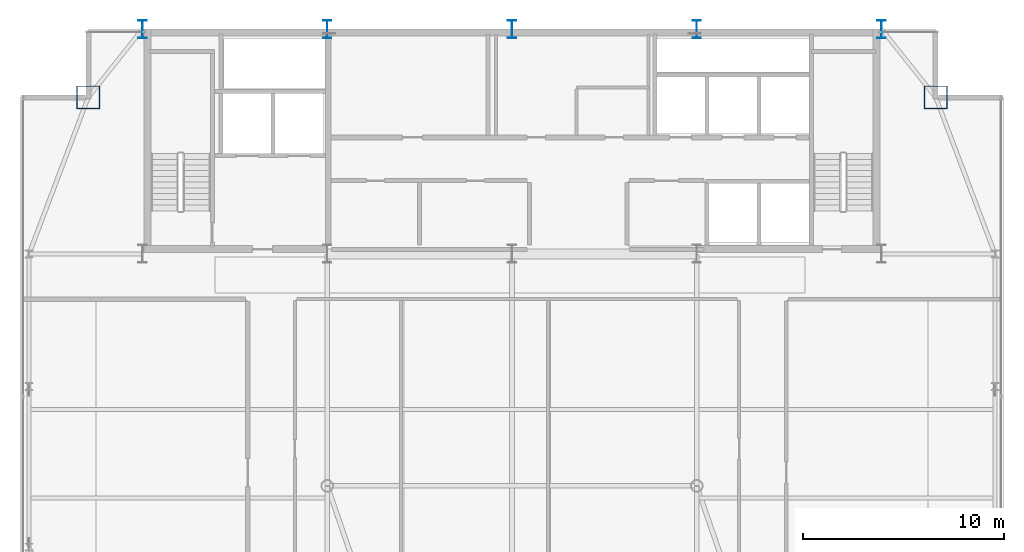
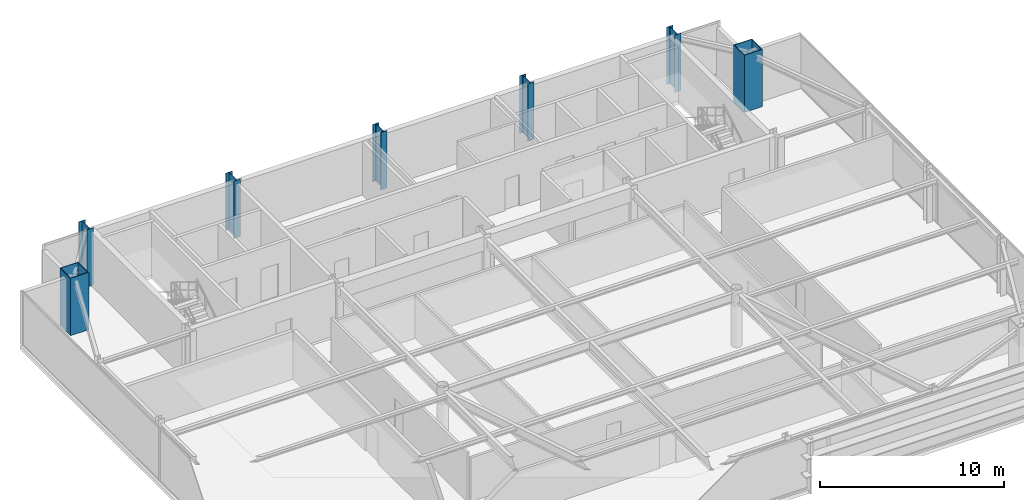
# One storey, part 3 of 25: 7 columns.
"""IFC4 building model written with IfcOpenShell, lengths in metres."""

from ifc_helpers import new_model, si_unit, direction, frame, origin, origin_2d, place, context, subcontext, project, spatial, hollow_rectangle, i_section, extrude, source, transform, mapped, material, material_profile, profile_set, type_object, type_shapes, element, save


model = new_model("IFC4")

# Units and contexts
model_context = context("Model", 3, precision=1e-05, world=origin(), true_north=direction((0.0, 1.0)))
body_context = subcontext(model_context, "Body", "Model", "MODEL_VIEW")
ifc_project = project(units=[si_unit("LENGTHUNIT", "METRE"), si_unit("AREAUNIT", "SQUARE_METRE"), si_unit("VOLUMEUNIT", "CUBIC_METRE"), si_unit("PLANEANGLEUNIT", "RADIAN"), si_unit("MASSUNIT", "GRAM", prefix="KILO")], contexts=[model_context])

# Site, building, storey
site_placement = place(None, origin())
site = spatial("IfcSite", under=ifc_project, at=site_placement, CompositionType="ELEMENT")
building_placement = place(site_placement, origin())
building = spatial("IfcBuilding", under=site, at=building_placement, Name="Varnel Quay Broadcast Tower", CompositionType="ELEMENT")
storey_placement = place(building_placement, frame((0.0, 0.0, 226.39990234375)))
storey = spatial("IfcBuildingStorey", under=building, at=storey_placement, Name="L56", CompositionType="ELEMENT", Elevation=226.39990234375)

# Columns
ifc_material = material(Name="Structural Steel CSA G40.21 350WT", Category="steel")
ifc_material_profile_1 = material_profile(ifc_material, i_section(OverallWidth=0.39990234375, OverallDepth=0.89990234375, WebThickness=0.01611328125, FlangeThickness=0.028076171875, FilletRadius=0.01611328125, at=origin_2d()), Name="WWF900X309")
ifc_profile_set_1 = profile_set([ifc_material_profile_1], Name="Structural Steel CSA G40.21 350WT")
column_type_1 = type_object("IfcColumnType", Name="Col_WWF900X309", PredefinedType="COLUMN", material=ifc_profile_set_1)
shared_shape_1 = source(origin(), body_context, "Body", "SweptSolid", [
    extrude(i_section(OverallWidth=0.39990234375, OverallDepth=0.89990234375, WebThickness=0.01611328125, FlangeThickness=0.028076171875, FilletRadius=0.01611328125, at=origin_2d()), origin(), (0.0, 0.0, 1.0), 3.800048828125),
])
type_shapes(column_type_1, [shared_shape_1])
for number, where, z_axis, x_axis, name in (
    (1, (15.60009765625, 46.800048828125, 0.0), (0.0, 0.0, 1.0), (1.0, 0.0, 0.0), "L56 Column CC-N1"),
    (2, (24.800048828125, 46.800048828125, 0.0), (0.0, 0.0, 1.0), (1.0, 0.0, 0.0), "L56 Column CC-N2"),
    (3, (34.0, 46.800048828125, 0.0), (0.0, 0.0, 1.0), (1.0, 0.0, 0.0), "L56 Column CC-N3"),
    (4, (43.199951171875, 46.800048828125, 0.0), (0.0, 0.0, 1.0), (1.0, 0.0, 0.0), "L56 Column CC-N4"),
    (5, (52.39990234375, 46.800048828125, 0.0), (0.0, 0.0, 1.0), (1.0, 0.0, 0.0), "L56 Column CC-N5"),
):
    element("IfcColumn", number, at=place(storey_placement, frame(where, z_axis=z_axis, x_axis=x_axis)), inside=storey, type_object=column_type_1, Name=name, PredefinedType="COLUMN", context=body_context, shape_type="MappedRepresentation", body=[
        mapped(shared_shape_1, transform((0.0, 0.0, 0.0), x_axis=(1.0, 0.0, 0.0), y_axis=(0.0, 1.0, 0.0), z_axis=(0.0, 0.0, 1.0), scale=1.0)),
    ])
ifc_material_profile_2 = material_profile(ifc_material, hollow_rectangle(XDim=1.14990234375, YDim=1.14990234375, WallThickness=0.044921875, at=origin_2d()), Name="BOX1150X1150X45")
ifc_profile_set_2 = profile_set([ifc_material_profile_2], Name="Structural Steel CSA G40.21 350WT")
column_type_2 = type_object("IfcColumnType", Name="Col_BOX1150X1150X45", PredefinedType="COLUMN", material=ifc_profile_set_2)
shared_shape_2 = source(origin(), body_context, "Body", "SweptSolid", [
    extrude(hollow_rectangle(XDim=1.14990234375, YDim=1.14990234375, WallThickness=0.044921875, at=origin_2d()), origin(), (0.0, 0.0, 1.0), 3.800048828125),
])
type_shapes(column_type_2, [shared_shape_2])
for number, where, z_axis, x_axis, name in (
    (6, (55.10009765625, 43.39990234375, 0.0), (0.0, 0.0, 1.0), (1.0, 0.0, 0.0), "L56 Column MC-NE"),
    (7, (12.89990234375, 43.39990234375, 0.0), (0.0, 0.0, 1.0), (1.0, 0.0, 0.0), "L56 Column MC-NW"),
):
    element("IfcColumn", number, at=place(storey_placement, frame(where, z_axis=z_axis, x_axis=x_axis)), inside=storey, type_object=column_type_2, Name=name, PredefinedType="COLUMN", context=body_context, shape_type="MappedRepresentation", body=[
        mapped(shared_shape_2, transform((0.0, 0.0, 0.0), x_axis=(1.0, 0.0, 0.0), y_axis=(0.0, 1.0, 0.0), z_axis=(0.0, 0.0, 1.0), scale=1.0)),
    ])

save(model, "model.ifc")
